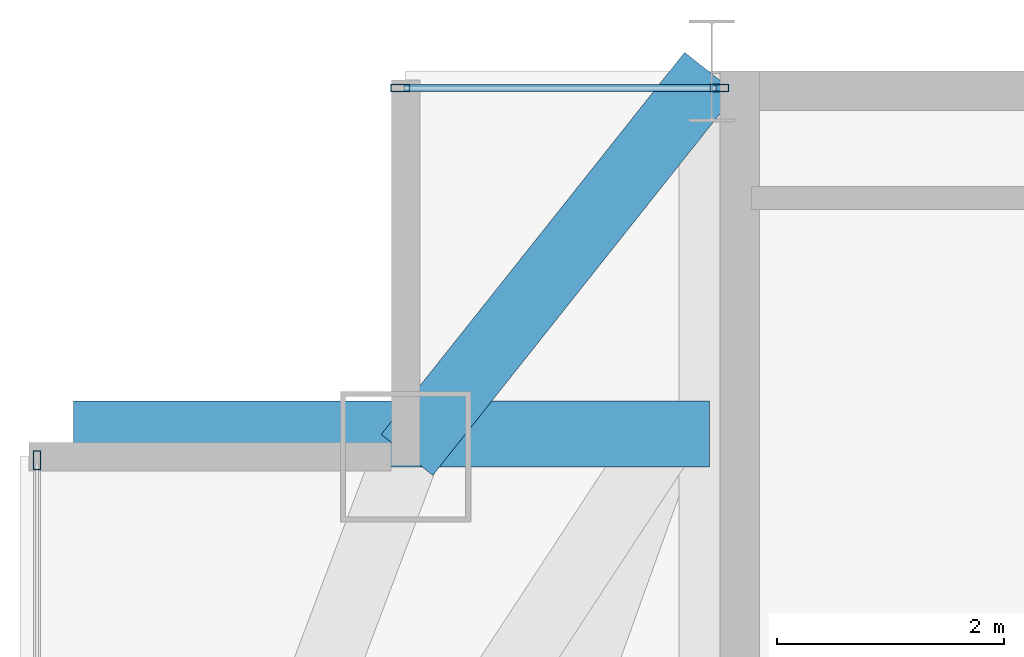
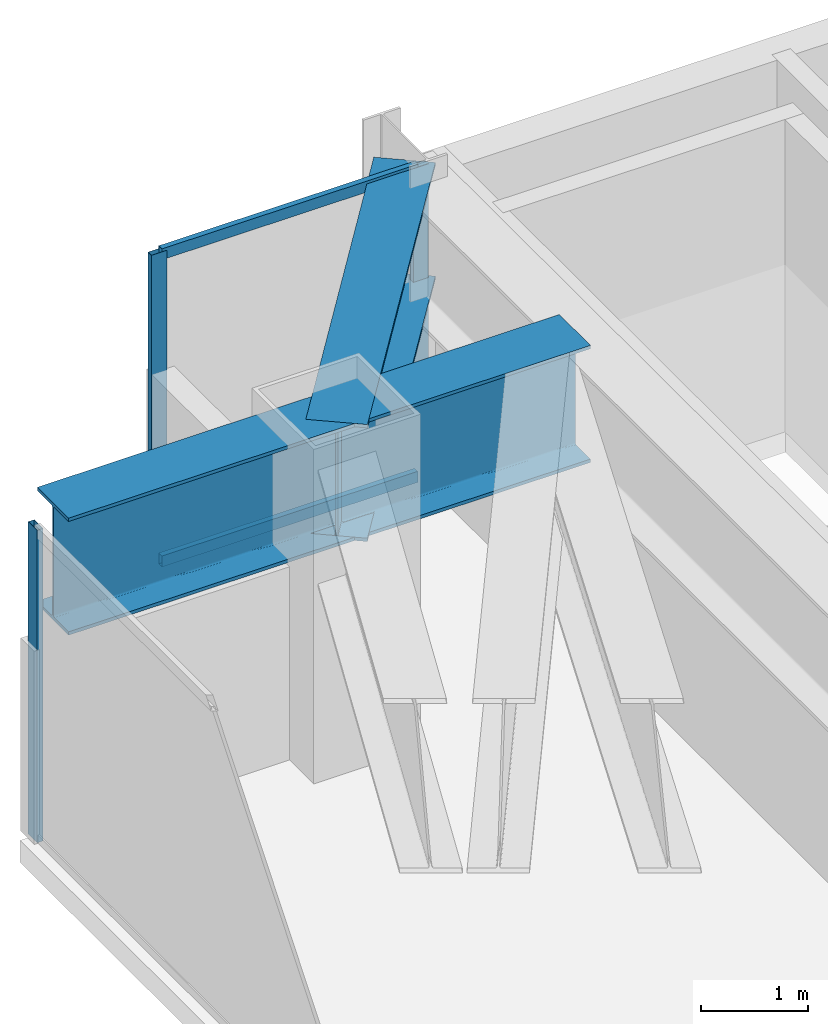
# One storey, part 18 of 23: 5 members, 2 beams, 2 elements without a shape of their own.
"""IFC4 building model written with IfcOpenShell, lengths in metres."""

from ifc_helpers import new_model, si_unit, direction, frame, origin, origin_2d, place, context, subcontext, project, spatial, hollow_rectangle, i_section, extrude, source, transform, mapped, material, layer, layer_set, material_profile, profile_set, type_object, type_shapes, element, aggregate, save


model = new_model("IFC4")

# Units and contexts
model_context = context("Model", 3, precision=1e-05, world=origin(), true_north=direction((0.0, 1.0)))
body_context = subcontext(model_context, "Body", "Model", "MODEL_VIEW")
ifc_project = project(units=[si_unit("LENGTHUNIT", "METRE"), si_unit("AREAUNIT", "SQUARE_METRE"), si_unit("VOLUMEUNIT", "CUBIC_METRE"), si_unit("PLANEANGLEUNIT", "RADIAN"), si_unit("MASSUNIT", "GRAM", prefix="KILO")], contexts=[model_context])

# Site, building, storey
site_placement = place(None, origin())
site = spatial("IfcSite", under=ifc_project, at=site_placement, CompositionType="ELEMENT")
building_placement = place(site_placement, origin())
building = spatial("IfcBuilding", under=site, at=building_placement, Name="Varnel Quay Broadcast Tower", CompositionType="ELEMENT")
storey_placement = place(building_placement, frame((0.0, 0.0, 254.60009765625)))
storey = spatial("IfcBuildingStorey", under=building, at=storey_placement, Name="L63", CompositionType="ELEMENT", Elevation=254.60009765625)

# Beams
ifc_material_1 = material(Name="Structural Steel CSA G40.21 350WT", Category="steel")
ifc_material_profile_1 = material_profile(ifc_material_1, i_section(OverallWidth=0.580078125, OverallDepth=1.330078125, WebThickness=0.02197265625, FlangeThickness=0.0380859375, FilletRadius=0.02001953125, at=origin_2d()), Name="WWF1330X535")
ifc_profile_set_1 = profile_set([ifc_material_profile_1], Name="Structural Steel CSA G40.21 350WT")
beam_type = type_object("IfcBeamType", Name="Girder_WWF1330X535", PredefinedType="BEAM", material=ifc_profile_set_1)
shared_shape_1 = source(origin(), body_context, "Body", "SweptSolid", [
    extrude(i_section(OverallWidth=0.580078125, OverallDepth=1.330078125, WebThickness=0.02197265625, FlangeThickness=0.0380859375, FilletRadius=0.02001953125, at=origin_2d()), origin(), (0.0, 0.0, 1.0), 4.301513671875),
])
beam_1_placement = place(storey_placement, frame((12.912353515625, 43.415771484375, 2.885009765625), z_axis=(0.621936399401, 0.783067758946, 0.0), x_axis=(-0.783067758946, 0.621936399401, 0.0)))
element("IfcBeam", 1, at=beam_1_placement, inside=storey, type_object=beam_type, Name="L63 NW Transfer Spine", PredefinedType="BEAM", context=body_context, shape_type="MappedRepresentation", body=[
    mapped(shared_shape_1, transform((0.0, 0.0, 0.0), x_axis=(1.0, 0.0, 0.0), y_axis=(0.0, 1.0, 0.0), z_axis=(0.0, 0.0, 1.0), scale=1.0)),
])
shared_shape_2 = source(origin(), body_context, "Body", "SweptSolid", [
    extrude(i_section(OverallWidth=0.580078125, OverallDepth=1.330078125, WebThickness=0.02197265625, FlangeThickness=0.0380859375, FilletRadius=0.02001953125, at=origin_2d()), origin(), (0.0, 0.0, 1.0), 5.610107421875),
])
type_shapes(beam_type, [shared_shape_1, shared_shape_2])
beam_2_placement = place(storey_placement, frame((9.969970703125, 43.60009765625, 2.885009765625), z_axis=(1.0, 0.0, 0.0), x_axis=(0.0, 1.0, 0.0)))
element("IfcBeam", 2, at=beam_2_placement, inside=storey, type_object=beam_type, Name="L63 Setback NW Mega-Column Transfer", PredefinedType="BEAM", context=body_context, shape_type="MappedRepresentation", body=[
    mapped(shared_shape_2, transform((0.0, 0.0, 0.0), x_axis=(1.0, 0.0, 0.0), y_axis=(0.0, 1.0, 0.0), z_axis=(0.0, 0.0, 1.0), scale=1.0)),
])

# Curtain wall, member
ifc_material_2 = material(Name="Anodised Bronze Aluminium 6063-T6", Category="aluminium")
ifc_layer = layer(ifc_material_2, 0.18994140625, Name="Anodised Bronze Aluminium 6063-T6")
ifc_layer_set = layer_set([ifc_layer], Name="Anodised Bronze Aluminium 6063-T6")
curtain_wall_type = type_object("IfcCurtainWallType", Name="CW_UpperTower", PredefinedType="NOTDEFINED", material=ifc_layer_set)
curtain_wall_1_placement = place(storey_placement, origin())
curtain_wall_1 = element("IfcCurtainWall", 3, at=curtain_wall_1_placement, inside=storey, type_object=curtain_wall_type, Name="L63 West Unitised Curtain Wall", PredefinedType="NOTDEFINED")
ifc_material_profile_2 = material_profile(ifc_material_2, hollow_rectangle(XDim=0.06494140625, YDim=0.1650390625, WallThickness=0.00341796875, at=origin_2d()), Name="ALU65X165X3.5")
ifc_profile_set_2 = profile_set([ifc_material_profile_2], Name="Anodised Bronze Aluminium 6063-T6")
member_type_1 = type_object("IfcMemberType", Name="Mull_CWS-03", PredefinedType="MULLION", material=ifc_profile_set_2)
shared_shape_3 = source(origin(), body_context, "Body", "SweptSolid", [
    extrude(hollow_rectangle(XDim=0.06494140625, YDim=0.1650390625, WallThickness=0.00341796875, at=origin_2d()), origin(), (0.0, 0.0, 1.0), 3.5498046875),
])
type_shapes(member_type_1, [shared_shape_3])
member_1_placement = place(storey_placement, frame((9.64990234375, 43.367431640625, 0.0), z_axis=(0.0, 0.0, 1.0), x_axis=(-1.0, 0.0, 0.0)))
member_1 = element("IfcMember", 4, at=member_1_placement, type_object=member_type_1, Name="CWS-03 mullion 3", PredefinedType="MULLION", context=body_context, shape_type="MappedRepresentation", body=[
    mapped(shared_shape_3, transform((0.0, 0.0, 0.0), x_axis=(1.0, 0.0, 0.0), y_axis=(0.0, 1.0, 0.0), z_axis=(0.0, 0.0, 1.0), scale=1.0)),
])
aggregate(curtain_wall_1, [member_1])

# Curtain wall, members
curtain_wall_2_placement = place(storey_placement, origin())
curtain_wall_2 = element("IfcCurtainWall", 5, at=curtain_wall_2_placement, inside=storey, type_object=curtain_wall_type, Name="L63 NW Wing Curtain Wall", PredefinedType="NOTDEFINED")
member_2_placement = place(storey_placement, frame((12.8525390625, 46.64990234375, 0.0), z_axis=(0.0, 0.0, 1.0), x_axis=(0.0, 1.0, 0.0)))
member_2 = element("IfcMember", 6, at=member_2_placement, type_object=member_type_1, Name="CWS-03 mullion 1", PredefinedType="MULLION", context=body_context, shape_type="MappedRepresentation", body=[
    mapped(shared_shape_3, transform((0.0, 0.0, 0.0), x_axis=(1.0, 0.0, 0.0), y_axis=(0.0, 1.0, 0.0), z_axis=(0.0, 0.0, 1.0), scale=1.0)),
])
member_3_placement = place(storey_placement, frame((15.66748046875, 46.64990234375, 0.0), z_axis=(0.0, 0.0, 1.0), x_axis=(0.0, 1.0, 0.0)))
member_3 = element("IfcMember", 7, at=member_3_placement, type_object=member_type_1, Name="CWS-03 mullion 2", PredefinedType="MULLION", context=body_context, shape_type="MappedRepresentation", body=[
    mapped(shared_shape_3, transform((0.0, 0.0, 0.0), x_axis=(1.0, 0.0, 0.0), y_axis=(0.0, 1.0, 0.0), z_axis=(0.0, 0.0, 1.0), scale=1.0)),
])
ifc_material_profile_3 = material_profile(ifc_material_2, hollow_rectangle(XDim=0.06005859375, YDim=0.125, WallThickness=0.0029296875, at=origin_2d()), Name="ALU60X125X3")
ifc_profile_set_3 = profile_set([ifc_material_profile_3], Name="Anodised Bronze Aluminium 6063-T6")
member_type_2 = type_object("IfcMemberType", Name="Tran_CWS-03", PredefinedType="USERDEFINED", material=ifc_profile_set_3)
shared_shape_4 = source(origin(), body_context, "Body", "SweptSolid", [
    extrude(hollow_rectangle(XDim=0.06005859375, YDim=0.125, WallThickness=0.0029296875, at=origin_2d()), origin(), (0.0, 0.0, 1.0), 2.75),
])
type_shapes(member_type_2, [shared_shape_4])
member_4_placement = place(storey_placement, frame((12.885009765625, 46.64990234375, 0.02978515625), z_axis=(1.0, 0.0, 0.0), x_axis=(0.0, 1.0, 0.0)))
member_4 = element("IfcMember", 8, at=member_4_placement, type_object=member_type_2, Name="CWS-03 transom 1.1", ObjectType="TRANSOM", PredefinedType="USERDEFINED", context=body_context, shape_type="MappedRepresentation", body=[
    mapped(shared_shape_4, transform((0.0, 0.0, 0.0), x_axis=(1.0, 0.0, 0.0), y_axis=(0.0, 1.0, 0.0), z_axis=(0.0, 0.0, 1.0), scale=1.0)),
])
member_5_placement = place(storey_placement, frame((12.885009765625, 46.64990234375, 3.52001953125), z_axis=(1.0, 0.0, 0.0), x_axis=(0.0, 1.0, 0.0)))
member_5 = element("IfcMember", 9, at=member_5_placement, type_object=member_type_2, Name="CWS-03 transom 1.2", ObjectType="TRANSOM", PredefinedType="USERDEFINED", context=body_context, shape_type="MappedRepresentation", body=[
    mapped(shared_shape_4, transform((0.0, 0.0, 0.0), x_axis=(1.0, 0.0, 0.0), y_axis=(0.0, 1.0, 0.0), z_axis=(0.0, 0.0, 1.0), scale=1.0)),
])
aggregate(curtain_wall_2, [member_2, member_3, member_4, member_5])

save(model, "model.ifc")
